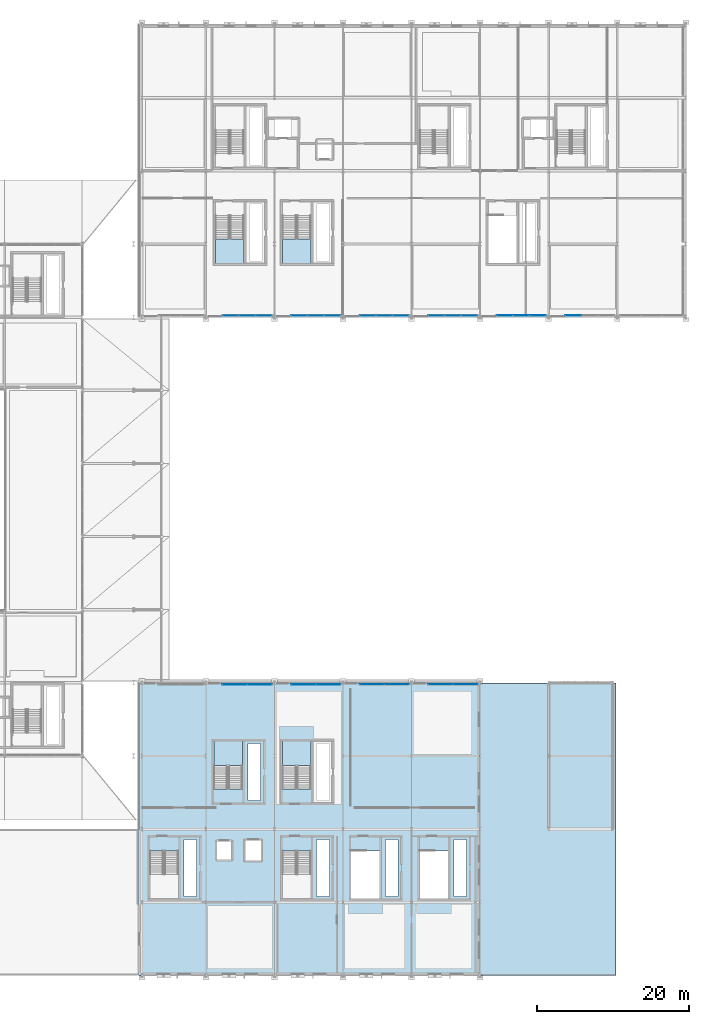
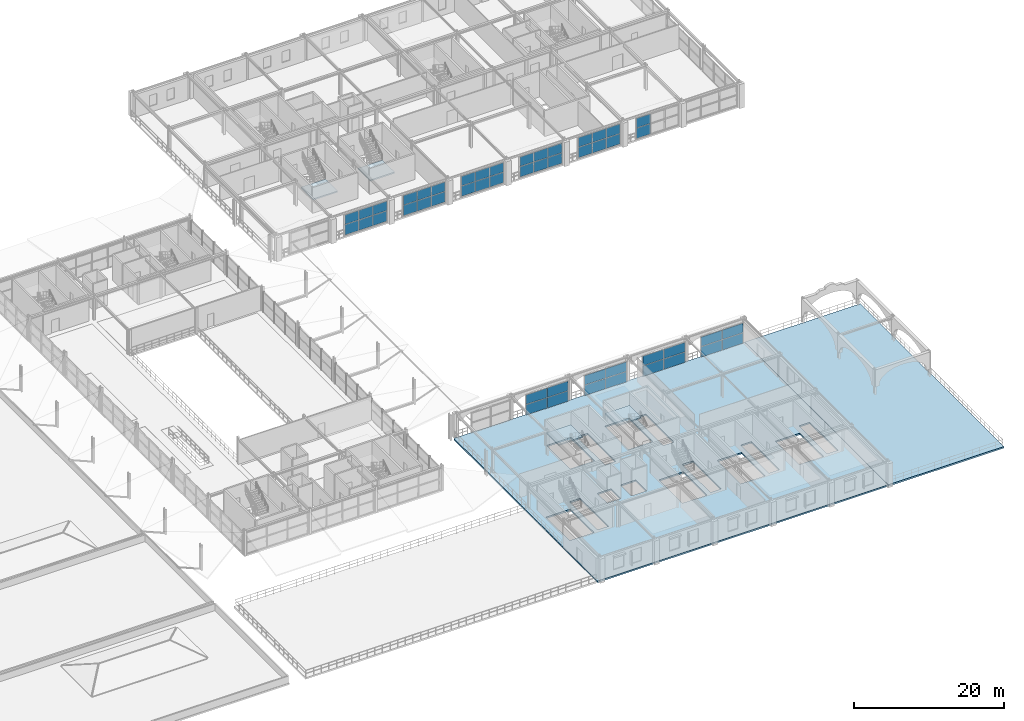
# One storey, part 38 of 81: 48 plates, 6 slabs, 14 elements without a shape of their own.
"""IFC4 building model written with IfcOpenShell, lengths in metres."""

from ifc_helpers import new_model, si_unit, direction, frame, origin, origin_2d, place, context, subcontext, project, spatial, polyline, rectangle, outline, extrude, material, layer, layer_set, type_object, element, aggregate, save


model = new_model("IFC4")

# Units and contexts
model_context = context("Model", 3, precision=1e-05, world=origin(), true_north=direction((0.0, 1.0)))
body_context = subcontext(model_context, "Body", "Model", "MODEL_VIEW")
ifc_project = project(units=[si_unit("LENGTHUNIT", "METRE"), si_unit("AREAUNIT", "SQUARE_METRE"), si_unit("VOLUMEUNIT", "CUBIC_METRE"), si_unit("PLANEANGLEUNIT", "RADIAN"), si_unit("MASSUNIT", "GRAM", prefix="KILO")], contexts=[model_context])

# Site, building, storey
site_placement = place(None, origin())
site = spatial("IfcSite", under=ifc_project, at=site_placement, CompositionType="ELEMENT")
building_placement = place(site_placement, origin())
building = spatial("IfcBuilding", under=site, at=building_placement, Name="Myrtia Square Station", CompositionType="ELEMENT")
storey_placement = place(building_placement, frame((0.0, 0.0, 10.800048828125)))
storey = spatial("IfcBuildingStorey", under=building, at=storey_placement, Name="L02", CompositionType="ELEMENT", Elevation=10.800048828125)

# Curtain wall, plates
ifc_material_1 = material(Name="Dark bronze anodised aluminium", Category="aluminium")
ifc_layer_1 = layer(ifc_material_1, 0.159912109375, Name="Dark bronze anodised aluminium")
ifc_layer_set_1 = layer_set([ifc_layer_1], Name="Dark bronze anodised aluminium")
curtain_wall_type_1 = type_object("IfcCurtainWallType", Name="CW-TYPE-28-660x340", PredefinedType="USERDEFINED", material=ifc_layer_set_1)
curtain_wall_1_placement = place(storey_placement, origin())
curtain_wall_1 = element("IfcCurtainWall", 1, at=curtain_wall_1_placement, inside=storey, type_object=curtain_wall_type_1, Name="Concourse curtain wall CW-L02-100", ObjectType="CONCOURSE CURTAIN WALL", PredefinedType="USERDEFINED")
ifc_material_2 = material(Name="Tinted low-E solar control glass", Category="glass")
ifc_layer_2 = layer(ifc_material_2, 0.02392578125, Name="Tinted low-E solar control glass")
ifc_layer_set_2 = layer_set([ifc_layer_2], Name="Tinted low-E solar control glass")
plate_type_1 = type_object("IfcPlateType", Name="CWP-GLZ-24", PredefinedType="CURTAIN_PANEL", material=ifc_layer_set_2)
plate_1_placement = place(storey_placement, frame((147.7900390625, 38.199951171875, 0.06005859375), z_axis=(0.0, 0.0, 1.0), x_axis=(1.0, 0.0, 0.0)))
plate_1 = element("IfcPlate", 2, at=plate_1_placement, type_object=plate_type_1, Name="CW-100 panel 1.1", PredefinedType="CURTAIN_PANEL", context=body_context, shape_type="SweptSolid", body=[
    extrude(rectangle(XDim=3.2099609375, YDim=0.02392578125, at=origin_2d()), origin(), (0.0, 0.0, 1.0), 1.677978515625),
])
plate_2_placement = place(storey_placement, frame((147.7900390625, 38.199951171875, 1.7978515625), z_axis=(0.0, 0.0, 1.0), x_axis=(1.0, 0.0, 0.0)))
plate_2 = element("IfcPlate", 3, at=plate_2_placement, type_object=plate_type_1, Name="CW-100 panel 1.2", PredefinedType="CURTAIN_PANEL", context=body_context, shape_type="SweptSolid", body=[
    extrude(rectangle(XDim=3.2099609375, YDim=0.02392578125, at=origin_2d()), origin(), (0.0, 0.0, 1.0), 1.5419921875),
])
plate_3_placement = place(storey_placement, frame((151.06005859375, 38.199951171875, 0.06005859375), z_axis=(0.0, 0.0, 1.0), x_axis=(1.0, 0.0, 0.0)))
plate_3 = element("IfcPlate", 4, at=plate_3_placement, type_object=plate_type_1, Name="CW-100 panel 2.1", PredefinedType="CURTAIN_PANEL", context=body_context, shape_type="SweptSolid", body=[
    extrude(rectangle(XDim=3.2099609375, YDim=0.02392578125, at=origin_2d()), origin(), (0.0, 0.0, 1.0), 1.677978515625),
])
plate_4_placement = place(storey_placement, frame((151.06005859375, 38.199951171875, 1.7978515625), z_axis=(0.0, 0.0, 1.0), x_axis=(1.0, 0.0, 0.0)))
plate_4 = element("IfcPlate", 5, at=plate_4_placement, type_object=plate_type_1, Name="CW-100 panel 2.2", PredefinedType="CURTAIN_PANEL", context=body_context, shape_type="SweptSolid", body=[
    extrude(rectangle(XDim=3.2099609375, YDim=0.02392578125, at=origin_2d()), origin(), (0.0, 0.0, 1.0), 1.5419921875),
])
aggregate(curtain_wall_1, [plate_1, plate_2, plate_3, plate_4])

ifc_layer_3 = layer(ifc_material_1, 0.159912109375, Name="Dark bronze anodised aluminium")
ifc_layer_set_3 = layer_set([ifc_layer_3], Name="Dark bronze anodised aluminium")
curtain_wall_type_2 = type_object("IfcCurtainWallType", Name="CW-TYPE-40-658x340", PredefinedType="USERDEFINED", material=ifc_layer_set_3)
curtain_wall_2_placement = place(storey_placement, origin())
curtain_wall_2 = element("IfcCurtainWall", 6, at=curtain_wall_2_placement, inside=storey, type_object=curtain_wall_type_2, Name="Concourse curtain wall CW-L02-119", ObjectType="CONCOURSE CURTAIN WALL", PredefinedType="USERDEFINED")
plate_5_placement = place(storey_placement, frame((129.237060546875, 86.60009765625, 0.06494140625), z_axis=(0.0, 0.0, 1.0), x_axis=(1.0, 0.0, 0.0)))
plate_5 = element("IfcPlate", 7, at=plate_5_placement, type_object=plate_type_1, Name="CW-119 panel 1.1", PredefinedType="CURTAIN_PANEL", context=body_context, shape_type="SweptSolid", body=[
    extrude(rectangle(XDim=2.09423828125, YDim=0.02392578125, at=origin_2d()), origin(), (0.0, 0.0, 1.0), 1.67041015625),
])
plate_6_placement = place(storey_placement, frame((129.237060546875, 86.60009765625, 1.80029296875), z_axis=(0.0, 0.0, 1.0), x_axis=(1.0, 0.0, 0.0)))
plate_6 = element("IfcPlate", 8, at=plate_6_placement, type_object=plate_type_1, Name="CW-119 panel 1.2", PredefinedType="CURTAIN_PANEL", context=body_context, shape_type="SweptSolid", body=[
    extrude(rectangle(XDim=2.09423828125, YDim=0.02392578125, at=origin_2d()), origin(), (0.0, 0.0, 1.0), 1.534423828125),
])
plate_7_placement = place(storey_placement, frame((131.41259765625, 86.60009765625, 0.06494140625), z_axis=(0.0, 0.0, 1.0), x_axis=(1.0, 0.0, 0.0)))
plate_7 = element("IfcPlate", 9, at=plate_7_placement, type_object=plate_type_1, Name="CW-119 panel 2.1", PredefinedType="CURTAIN_PANEL", context=body_context, shape_type="SweptSolid", body=[
    extrude(rectangle(XDim=2.126708984375, YDim=0.02392578125, at=origin_2d()), origin(), (0.0, 0.0, 1.0), 1.67041015625),
])
plate_8_placement = place(storey_placement, frame((131.41259765625, 86.60009765625, 1.80029296875), z_axis=(0.0, 0.0, 1.0), x_axis=(1.0, 0.0, 0.0)))
plate_8 = element("IfcPlate", 10, at=plate_8_placement, type_object=plate_type_1, Name="CW-119 panel 2.2", PredefinedType="CURTAIN_PANEL", context=body_context, shape_type="SweptSolid", body=[
    extrude(rectangle(XDim=2.126708984375, YDim=0.02392578125, at=origin_2d()), origin(), (0.0, 0.0, 1.0), 1.534423828125),
])
plate_9_placement = place(storey_placement, frame((133.587890625, 86.60009765625, 0.06494140625), z_axis=(0.0, 0.0, 1.0), x_axis=(1.0, 0.0, 0.0)))
plate_9 = element("IfcPlate", 11, at=plate_9_placement, type_object=plate_type_1, Name="CW-119 panel 3.1", PredefinedType="CURTAIN_PANEL", context=body_context, shape_type="SweptSolid", body=[
    extrude(rectangle(XDim=2.09423828125, YDim=0.02392578125, at=origin_2d()), origin(), (0.0, 0.0, 1.0), 1.67041015625),
])
plate_10_placement = place(storey_placement, frame((133.587890625, 86.60009765625, 1.80029296875), z_axis=(0.0, 0.0, 1.0), x_axis=(1.0, 0.0, 0.0)))
plate_10 = element("IfcPlate", 12, at=plate_10_placement, type_object=plate_type_1, Name="CW-119 panel 3.2", PredefinedType="CURTAIN_PANEL", context=body_context, shape_type="SweptSolid", body=[
    extrude(rectangle(XDim=2.09423828125, YDim=0.02392578125, at=origin_2d()), origin(), (0.0, 0.0, 1.0), 1.534423828125),
])
aggregate(curtain_wall_2, [plate_5, plate_6, plate_7, plate_8, plate_9, plate_10])

curtain_wall_3_placement = place(storey_placement, origin())
curtain_wall_3 = element("IfcCurtainWall", 13, at=curtain_wall_3_placement, inside=storey, type_object=curtain_wall_type_1, Name="Concourse curtain wall CW-L02-101", ObjectType="CONCOURSE CURTAIN WALL", PredefinedType="USERDEFINED")
ifc_layer_4 = layer(ifc_material_2, 0.028076171875, Name="Tinted low-E solar control glass")
ifc_layer_set_4 = layer_set([ifc_layer_4], Name="Tinted low-E solar control glass")
plate_type_2 = type_object("IfcPlateType", Name="CWP-GLZ-28", PredefinedType="CURTAIN_PANEL", material=ifc_layer_set_4)
plate_11_placement = place(storey_placement, frame((156.7900390625, 38.199951171875, 0.06005859375), z_axis=(0.0, 0.0, 1.0), x_axis=(1.0, 0.0, 0.0)))
plate_11 = element("IfcPlate", 14, at=plate_11_placement, type_object=plate_type_2, Name="CW-101 panel 1.1", PredefinedType="CURTAIN_PANEL", context=body_context, shape_type="SweptSolid", body=[
    extrude(rectangle(XDim=3.2099609375, YDim=0.028076171875, at=origin_2d()), origin(), (0.0, 0.0, 1.0), 1.677978515625),
])
plate_12_placement = place(storey_placement, frame((156.7900390625, 38.199951171875, 1.7978515625), z_axis=(0.0, 0.0, 1.0), x_axis=(1.0, 0.0, 0.0)))
plate_12 = element("IfcPlate", 15, at=plate_12_placement, type_object=plate_type_2, Name="CW-101 panel 1.2", PredefinedType="CURTAIN_PANEL", context=body_context, shape_type="SweptSolid", body=[
    extrude(rectangle(XDim=3.2099609375, YDim=0.028076171875, at=origin_2d()), origin(), (0.0, 0.0, 1.0), 1.5419921875),
])
plate_13_placement = place(storey_placement, frame((160.06005859375, 38.199951171875, 0.06005859375), z_axis=(0.0, 0.0, 1.0), x_axis=(1.0, 0.0, 0.0)))
plate_13 = element("IfcPlate", 16, at=plate_13_placement, type_object=plate_type_2, Name="CW-101 panel 2.1", PredefinedType="CURTAIN_PANEL", context=body_context, shape_type="SweptSolid", body=[
    extrude(rectangle(XDim=3.2099609375, YDim=0.028076171875, at=origin_2d()), origin(), (0.0, 0.0, 1.0), 1.677978515625),
])
plate_14_placement = place(storey_placement, frame((160.06005859375, 38.199951171875, 1.7978515625), z_axis=(0.0, 0.0, 1.0), x_axis=(1.0, 0.0, 0.0)))
plate_14 = element("IfcPlate", 17, at=plate_14_placement, type_object=plate_type_2, Name="CW-101 panel 2.2", PredefinedType="CURTAIN_PANEL", context=body_context, shape_type="SweptSolid", body=[
    extrude(rectangle(XDim=3.2099609375, YDim=0.028076171875, at=origin_2d()), origin(), (0.0, 0.0, 1.0), 1.5419921875),
])
aggregate(curtain_wall_3, [plate_11, plate_12, plate_13, plate_14])

curtain_wall_4_placement = place(storey_placement, origin())
curtain_wall_4 = element("IfcCurtainWall", 18, at=curtain_wall_4_placement, inside=storey, type_object=curtain_wall_type_2, Name="Concourse curtain wall CW-L02-124", ObjectType="CONCOURSE CURTAIN WALL", PredefinedType="USERDEFINED")
plate_15_placement = place(storey_placement, frame((138.237060546875, 86.60009765625, 0.06494140625), z_axis=(0.0, 0.0, 1.0), x_axis=(1.0, 0.0, 0.0)))
plate_15 = element("IfcPlate", 19, at=plate_15_placement, type_object=plate_type_2, Name="CW-124 panel 1.1", PredefinedType="CURTAIN_PANEL", context=body_context, shape_type="SweptSolid", body=[
    extrude(rectangle(XDim=2.09423828125, YDim=0.028076171875, at=origin_2d()), origin(), (0.0, 0.0, 1.0), 1.67041015625),
])
plate_16_placement = place(storey_placement, frame((138.237060546875, 86.60009765625, 1.80029296875), z_axis=(0.0, 0.0, 1.0), x_axis=(1.0, 0.0, 0.0)))
plate_16 = element("IfcPlate", 20, at=plate_16_placement, type_object=plate_type_2, Name="CW-124 panel 1.2", PredefinedType="CURTAIN_PANEL", context=body_context, shape_type="SweptSolid", body=[
    extrude(rectangle(XDim=2.09423828125, YDim=0.028076171875, at=origin_2d()), origin(), (0.0, 0.0, 1.0), 1.534423828125),
])
plate_17_placement = place(storey_placement, frame((140.41259765625, 86.60009765625, 0.06494140625), z_axis=(0.0, 0.0, 1.0), x_axis=(1.0, 0.0, 0.0)))
plate_17 = element("IfcPlate", 21, at=plate_17_placement, type_object=plate_type_2, Name="CW-124 panel 2.1", PredefinedType="CURTAIN_PANEL", context=body_context, shape_type="SweptSolid", body=[
    extrude(rectangle(XDim=2.126708984375, YDim=0.028076171875, at=origin_2d()), origin(), (0.0, 0.0, 1.0), 1.67041015625),
])
plate_18_placement = place(storey_placement, frame((140.41259765625, 86.60009765625, 1.80029296875), z_axis=(0.0, 0.0, 1.0), x_axis=(1.0, 0.0, 0.0)))
plate_18 = element("IfcPlate", 22, at=plate_18_placement, type_object=plate_type_2, Name="CW-124 panel 2.2", PredefinedType="CURTAIN_PANEL", context=body_context, shape_type="SweptSolid", body=[
    extrude(rectangle(XDim=2.126708984375, YDim=0.028076171875, at=origin_2d()), origin(), (0.0, 0.0, 1.0), 1.534423828125),
])
plate_19_placement = place(storey_placement, frame((142.587890625, 86.60009765625, 0.06494140625), z_axis=(0.0, 0.0, 1.0), x_axis=(1.0, 0.0, 0.0)))
plate_19 = element("IfcPlate", 23, at=plate_19_placement, type_object=plate_type_2, Name="CW-124 panel 3.1", PredefinedType="CURTAIN_PANEL", context=body_context, shape_type="SweptSolid", body=[
    extrude(rectangle(XDim=2.09423828125, YDim=0.028076171875, at=origin_2d()), origin(), (0.0, 0.0, 1.0), 1.67041015625),
])
plate_20_placement = place(storey_placement, frame((142.587890625, 86.60009765625, 1.80029296875), z_axis=(0.0, 0.0, 1.0), x_axis=(1.0, 0.0, 0.0)))
plate_20 = element("IfcPlate", 24, at=plate_20_placement, type_object=plate_type_2, Name="CW-124 panel 3.2", PredefinedType="CURTAIN_PANEL", context=body_context, shape_type="SweptSolid", body=[
    extrude(rectangle(XDim=2.09423828125, YDim=0.028076171875, at=origin_2d()), origin(), (0.0, 0.0, 1.0), 1.534423828125),
])
aggregate(curtain_wall_4, [plate_15, plate_16, plate_17, plate_18, plate_19, plate_20])

curtain_wall_5_placement = place(storey_placement, origin())
curtain_wall_5 = element("IfcCurtainWall", 25, at=curtain_wall_5_placement, inside=storey, type_object=curtain_wall_type_2, Name="Concourse curtain wall CW-L02-128", ObjectType="CONCOURSE CURTAIN WALL", PredefinedType="USERDEFINED")
plate_21_placement = place(storey_placement, frame((147.237060546875, 86.60009765625, 0.06494140625), z_axis=(0.0, 0.0, 1.0), x_axis=(1.0, 0.0, 0.0)))
plate_21 = element("IfcPlate", 26, at=plate_21_placement, type_object=plate_type_2, Name="CW-128 panel 1.1", PredefinedType="CURTAIN_PANEL", context=body_context, shape_type="SweptSolid", body=[
    extrude(rectangle(XDim=2.09423828125, YDim=0.028076171875, at=origin_2d()), origin(), (0.0, 0.0, 1.0), 1.67041015625),
])
plate_22_placement = place(storey_placement, frame((147.237060546875, 86.60009765625, 1.80029296875), z_axis=(0.0, 0.0, 1.0), x_axis=(1.0, 0.0, 0.0)))
plate_22 = element("IfcPlate", 27, at=plate_22_placement, type_object=plate_type_2, Name="CW-128 panel 1.2", PredefinedType="CURTAIN_PANEL", context=body_context, shape_type="SweptSolid", body=[
    extrude(rectangle(XDim=2.09423828125, YDim=0.028076171875, at=origin_2d()), origin(), (0.0, 0.0, 1.0), 1.534423828125),
])
plate_23_placement = place(storey_placement, frame((149.41259765625, 86.60009765625, 0.06494140625), z_axis=(0.0, 0.0, 1.0), x_axis=(1.0, 0.0, 0.0)))
plate_23 = element("IfcPlate", 28, at=plate_23_placement, type_object=plate_type_2, Name="CW-128 panel 2.1", PredefinedType="CURTAIN_PANEL", context=body_context, shape_type="SweptSolid", body=[
    extrude(rectangle(XDim=2.126708984375, YDim=0.028076171875, at=origin_2d()), origin(), (0.0, 0.0, 1.0), 1.67041015625),
])
plate_24_placement = place(storey_placement, frame((149.41259765625, 86.60009765625, 1.80029296875), z_axis=(0.0, 0.0, 1.0), x_axis=(1.0, 0.0, 0.0)))
plate_24 = element("IfcPlate", 29, at=plate_24_placement, type_object=plate_type_2, Name="CW-128 panel 2.2", PredefinedType="CURTAIN_PANEL", context=body_context, shape_type="SweptSolid", body=[
    extrude(rectangle(XDim=2.126708984375, YDim=0.028076171875, at=origin_2d()), origin(), (0.0, 0.0, 1.0), 1.534423828125),
])
plate_25_placement = place(storey_placement, frame((151.587890625, 86.60009765625, 0.06494140625), z_axis=(0.0, 0.0, 1.0), x_axis=(1.0, 0.0, 0.0)))
plate_25 = element("IfcPlate", 30, at=plate_25_placement, type_object=plate_type_2, Name="CW-128 panel 3.1", PredefinedType="CURTAIN_PANEL", context=body_context, shape_type="SweptSolid", body=[
    extrude(rectangle(XDim=2.09423828125, YDim=0.028076171875, at=origin_2d()), origin(), (0.0, 0.0, 1.0), 1.67041015625),
])
plate_26_placement = place(storey_placement, frame((151.587890625, 86.60009765625, 1.80029296875), z_axis=(0.0, 0.0, 1.0), x_axis=(1.0, 0.0, 0.0)))
plate_26 = element("IfcPlate", 31, at=plate_26_placement, type_object=plate_type_2, Name="CW-128 panel 3.2", PredefinedType="CURTAIN_PANEL", context=body_context, shape_type="SweptSolid", body=[
    extrude(rectangle(XDim=2.09423828125, YDim=0.028076171875, at=origin_2d()), origin(), (0.0, 0.0, 1.0), 1.534423828125),
])
aggregate(curtain_wall_5, [plate_21, plate_22, plate_23, plate_24, plate_25, plate_26])

curtain_wall_6_placement = place(storey_placement, origin())
curtain_wall_6 = element("IfcCurtainWall", 32, at=curtain_wall_6_placement, inside=storey, type_object=curtain_wall_type_2, Name="Concourse curtain wall CW-L02-132", ObjectType="CONCOURSE CURTAIN WALL", PredefinedType="USERDEFINED")
plate_27_placement = place(storey_placement, frame((156.237060546875, 86.60009765625, 0.06494140625), z_axis=(0.0, 0.0, 1.0), x_axis=(1.0, 0.0, 0.0)))
plate_27 = element("IfcPlate", 33, at=plate_27_placement, type_object=plate_type_2, Name="CW-132 panel 1.1", PredefinedType="CURTAIN_PANEL", context=body_context, shape_type="SweptSolid", body=[
    extrude(rectangle(XDim=2.09423828125, YDim=0.028076171875, at=origin_2d()), origin(), (0.0, 0.0, 1.0), 1.67041015625),
])
plate_28_placement = place(storey_placement, frame((156.237060546875, 86.60009765625, 1.80029296875), z_axis=(0.0, 0.0, 1.0), x_axis=(1.0, 0.0, 0.0)))
plate_28 = element("IfcPlate", 34, at=plate_28_placement, type_object=plate_type_2, Name="CW-132 panel 1.2", PredefinedType="CURTAIN_PANEL", context=body_context, shape_type="SweptSolid", body=[
    extrude(rectangle(XDim=2.09423828125, YDim=0.028076171875, at=origin_2d()), origin(), (0.0, 0.0, 1.0), 1.534423828125),
])
plate_29_placement = place(storey_placement, frame((158.41259765625, 86.60009765625, 0.06494140625), z_axis=(0.0, 0.0, 1.0), x_axis=(1.0, 0.0, 0.0)))
plate_29 = element("IfcPlate", 35, at=plate_29_placement, type_object=plate_type_2, Name="CW-132 panel 2.1", PredefinedType="CURTAIN_PANEL", context=body_context, shape_type="SweptSolid", body=[
    extrude(rectangle(XDim=2.126708984375, YDim=0.028076171875, at=origin_2d()), origin(), (0.0, 0.0, 1.0), 1.67041015625),
])
plate_30_placement = place(storey_placement, frame((158.41259765625, 86.60009765625, 1.80029296875), z_axis=(0.0, 0.0, 1.0), x_axis=(1.0, 0.0, 0.0)))
plate_30 = element("IfcPlate", 36, at=plate_30_placement, type_object=plate_type_2, Name="CW-132 panel 2.2", PredefinedType="CURTAIN_PANEL", context=body_context, shape_type="SweptSolid", body=[
    extrude(rectangle(XDim=2.126708984375, YDim=0.028076171875, at=origin_2d()), origin(), (0.0, 0.0, 1.0), 1.534423828125),
])
plate_31_placement = place(storey_placement, frame((160.587890625, 86.60009765625, 0.06494140625), z_axis=(0.0, 0.0, 1.0), x_axis=(1.0, 0.0, 0.0)))
plate_31 = element("IfcPlate", 37, at=plate_31_placement, type_object=plate_type_2, Name="CW-132 panel 3.1", PredefinedType="CURTAIN_PANEL", context=body_context, shape_type="SweptSolid", body=[
    extrude(rectangle(XDim=2.09423828125, YDim=0.028076171875, at=origin_2d()), origin(), (0.0, 0.0, 1.0), 1.67041015625),
])
plate_32_placement = place(storey_placement, frame((160.587890625, 86.60009765625, 1.80029296875), z_axis=(0.0, 0.0, 1.0), x_axis=(1.0, 0.0, 0.0)))
plate_32 = element("IfcPlate", 38, at=plate_32_placement, type_object=plate_type_2, Name="CW-132 panel 3.2", PredefinedType="CURTAIN_PANEL", context=body_context, shape_type="SweptSolid", body=[
    extrude(rectangle(XDim=2.09423828125, YDim=0.028076171875, at=origin_2d()), origin(), (0.0, 0.0, 1.0), 1.534423828125),
])
aggregate(curtain_wall_6, [plate_27, plate_28, plate_29, plate_30, plate_31, plate_32])

curtain_wall_7_placement = place(storey_placement, origin())
curtain_wall_7 = element("IfcCurtainWall", 39, at=curtain_wall_7_placement, inside=storey, type_object=curtain_wall_type_1, Name="Concourse curtain wall CW-L02-098", ObjectType="CONCOURSE CURTAIN WALL", PredefinedType="USERDEFINED")
ifc_layer_5 = layer(ifc_material_2, 0.031982421875, Name="Tinted low-E solar control glass")
ifc_layer_set_5 = layer_set([ifc_layer_5], Name="Tinted low-E solar control glass")
plate_type_3 = type_object("IfcPlateType", Name="CWP-GLZ-32", PredefinedType="CURTAIN_PANEL", material=ifc_layer_set_5)
plate_33_placement = place(storey_placement, frame((129.7900390625, 38.199951171875, 0.06005859375), z_axis=(0.0, 0.0, 1.0), x_axis=(1.0, 0.0, 0.0)))
plate_33 = element("IfcPlate", 40, at=plate_33_placement, type_object=plate_type_3, Name="CW-098 panel 1.1", PredefinedType="CURTAIN_PANEL", context=body_context, shape_type="SweptSolid", body=[
    extrude(rectangle(XDim=3.2099609375, YDim=0.031982421875, at=origin_2d()), origin(), (0.0, 0.0, 1.0), 1.677978515625),
])
plate_34_placement = place(storey_placement, frame((129.7900390625, 38.199951171875, 1.7978515625), z_axis=(0.0, 0.0, 1.0), x_axis=(1.0, 0.0, 0.0)))
plate_34 = element("IfcPlate", 41, at=plate_34_placement, type_object=plate_type_3, Name="CW-098 panel 1.2", PredefinedType="CURTAIN_PANEL", context=body_context, shape_type="SweptSolid", body=[
    extrude(rectangle(XDim=3.2099609375, YDim=0.031982421875, at=origin_2d()), origin(), (0.0, 0.0, 1.0), 1.5419921875),
])
plate_35_placement = place(storey_placement, frame((133.06005859375, 38.199951171875, 0.06005859375), z_axis=(0.0, 0.0, 1.0), x_axis=(1.0, 0.0, 0.0)))
plate_35 = element("IfcPlate", 42, at=plate_35_placement, type_object=plate_type_3, Name="CW-098 panel 2.1", PredefinedType="CURTAIN_PANEL", context=body_context, shape_type="SweptSolid", body=[
    extrude(rectangle(XDim=3.2099609375, YDim=0.031982421875, at=origin_2d()), origin(), (0.0, 0.0, 1.0), 1.677978515625),
])
plate_36_placement = place(storey_placement, frame((133.06005859375, 38.199951171875, 1.7978515625), z_axis=(0.0, 0.0, 1.0), x_axis=(1.0, 0.0, 0.0)))
plate_36 = element("IfcPlate", 43, at=plate_36_placement, type_object=plate_type_3, Name="CW-098 panel 2.2", PredefinedType="CURTAIN_PANEL", context=body_context, shape_type="SweptSolid", body=[
    extrude(rectangle(XDim=3.2099609375, YDim=0.031982421875, at=origin_2d()), origin(), (0.0, 0.0, 1.0), 1.5419921875),
])
aggregate(curtain_wall_7, [plate_33, plate_34, plate_35, plate_36])

curtain_wall_8_placement = place(storey_placement, origin())
curtain_wall_8 = element("IfcCurtainWall", 44, at=curtain_wall_8_placement, inside=storey, type_object=curtain_wall_type_2, Name="Concourse curtain wall CW-L02-137", ObjectType="CONCOURSE CURTAIN WALL", PredefinedType="USERDEFINED")
plate_37_placement = place(storey_placement, frame((165.237060546875, 86.60009765625, 0.06494140625), z_axis=(0.0, 0.0, 1.0), x_axis=(1.0, 0.0, 0.0)))
plate_37 = element("IfcPlate", 45, at=plate_37_placement, type_object=plate_type_3, Name="CW-137 panel 1.1", PredefinedType="CURTAIN_PANEL", context=body_context, shape_type="SweptSolid", body=[
    extrude(rectangle(XDim=2.09423828125, YDim=0.031982421875, at=origin_2d()), origin(), (0.0, 0.0, 1.0), 1.67041015625),
])
plate_38_placement = place(storey_placement, frame((165.237060546875, 86.60009765625, 1.80029296875), z_axis=(0.0, 0.0, 1.0), x_axis=(1.0, 0.0, 0.0)))
plate_38 = element("IfcPlate", 46, at=plate_38_placement, type_object=plate_type_3, Name="CW-137 panel 1.2", PredefinedType="CURTAIN_PANEL", context=body_context, shape_type="SweptSolid", body=[
    extrude(rectangle(XDim=2.09423828125, YDim=0.031982421875, at=origin_2d()), origin(), (0.0, 0.0, 1.0), 1.534423828125),
])
plate_39_placement = place(storey_placement, frame((167.41259765625, 86.60009765625, 0.06494140625), z_axis=(0.0, 0.0, 1.0), x_axis=(1.0, 0.0, 0.0)))
plate_39 = element("IfcPlate", 47, at=plate_39_placement, type_object=plate_type_3, Name="CW-137 panel 2.1", PredefinedType="CURTAIN_PANEL", context=body_context, shape_type="SweptSolid", body=[
    extrude(rectangle(XDim=2.126708984375, YDim=0.031982421875, at=origin_2d()), origin(), (0.0, 0.0, 1.0), 1.67041015625),
])
plate_40_placement = place(storey_placement, frame((167.41259765625, 86.60009765625, 1.80029296875), z_axis=(0.0, 0.0, 1.0), x_axis=(1.0, 0.0, 0.0)))
plate_40 = element("IfcPlate", 48, at=plate_40_placement, type_object=plate_type_3, Name="CW-137 panel 2.2", PredefinedType="CURTAIN_PANEL", context=body_context, shape_type="SweptSolid", body=[
    extrude(rectangle(XDim=2.126708984375, YDim=0.031982421875, at=origin_2d()), origin(), (0.0, 0.0, 1.0), 1.534423828125),
])
plate_41_placement = place(storey_placement, frame((169.587890625, 86.60009765625, 0.06494140625), z_axis=(0.0, 0.0, 1.0), x_axis=(1.0, 0.0, 0.0)))
plate_41 = element("IfcPlate", 49, at=plate_41_placement, type_object=plate_type_3, Name="CW-137 panel 3.1", PredefinedType="CURTAIN_PANEL", context=body_context, shape_type="SweptSolid", body=[
    extrude(rectangle(XDim=2.09423828125, YDim=0.031982421875, at=origin_2d()), origin(), (0.0, 0.0, 1.0), 1.67041015625),
])
plate_42_placement = place(storey_placement, frame((169.587890625, 86.60009765625, 1.80029296875), z_axis=(0.0, 0.0, 1.0), x_axis=(1.0, 0.0, 0.0)))
plate_42 = element("IfcPlate", 50, at=plate_42_placement, type_object=plate_type_3, Name="CW-137 panel 3.2", PredefinedType="CURTAIN_PANEL", context=body_context, shape_type="SweptSolid", body=[
    extrude(rectangle(XDim=2.09423828125, YDim=0.031982421875, at=origin_2d()), origin(), (0.0, 0.0, 1.0), 1.534423828125),
])
aggregate(curtain_wall_8, [plate_37, plate_38, plate_39, plate_40, plate_41, plate_42])

curtain_wall_9_placement = place(storey_placement, origin())
curtain_wall_9 = element("IfcCurtainWall", 51, at=curtain_wall_9_placement, inside=storey, type_object=curtain_wall_type_1, Name="Concourse curtain wall CW-L02-099", ObjectType="CONCOURSE CURTAIN WALL", PredefinedType="USERDEFINED")
ifc_layer_6 = layer(ifc_material_2, 0.035888671875, Name="Tinted low-E solar control glass")
ifc_layer_set_6 = layer_set([ifc_layer_6], Name="Tinted low-E solar control glass")
plate_type_4 = type_object("IfcPlateType", Name="CWP-GLZ-36", PredefinedType="CURTAIN_PANEL", material=ifc_layer_set_6)
plate_43_placement = place(storey_placement, frame((138.7900390625, 38.199951171875, 0.06005859375), z_axis=(0.0, 0.0, 1.0), x_axis=(1.0, 0.0, 0.0)))
plate_43 = element("IfcPlate", 52, at=plate_43_placement, type_object=plate_type_4, Name="CW-099 panel 1.1", PredefinedType="CURTAIN_PANEL", context=body_context, shape_type="SweptSolid", body=[
    extrude(rectangle(XDim=3.2099609375, YDim=0.035888671875, at=origin_2d()), origin(), (0.0, 0.0, 1.0), 1.677978515625),
])
plate_44_placement = place(storey_placement, frame((138.7900390625, 38.199951171875, 1.7978515625), z_axis=(0.0, 0.0, 1.0), x_axis=(1.0, 0.0, 0.0)))
plate_44 = element("IfcPlate", 53, at=plate_44_placement, type_object=plate_type_4, Name="CW-099 panel 1.2", PredefinedType="CURTAIN_PANEL", context=body_context, shape_type="SweptSolid", body=[
    extrude(rectangle(XDim=3.2099609375, YDim=0.035888671875, at=origin_2d()), origin(), (0.0, 0.0, 1.0), 1.5419921875),
])
plate_45_placement = place(storey_placement, frame((142.06005859375, 38.199951171875, 0.06005859375), z_axis=(0.0, 0.0, 1.0), x_axis=(1.0, 0.0, 0.0)))
plate_45 = element("IfcPlate", 54, at=plate_45_placement, type_object=plate_type_4, Name="CW-099 panel 2.1", PredefinedType="CURTAIN_PANEL", context=body_context, shape_type="SweptSolid", body=[
    extrude(rectangle(XDim=3.2099609375, YDim=0.035888671875, at=origin_2d()), origin(), (0.0, 0.0, 1.0), 1.677978515625),
])
plate_46_placement = place(storey_placement, frame((142.06005859375, 38.199951171875, 1.7978515625), z_axis=(0.0, 0.0, 1.0), x_axis=(1.0, 0.0, 0.0)))
plate_46 = element("IfcPlate", 55, at=plate_46_placement, type_object=plate_type_4, Name="CW-099 panel 2.2", PredefinedType="CURTAIN_PANEL", context=body_context, shape_type="SweptSolid", body=[
    extrude(rectangle(XDim=3.2099609375, YDim=0.035888671875, at=origin_2d()), origin(), (0.0, 0.0, 1.0), 1.5419921875),
])
aggregate(curtain_wall_9, [plate_43, plate_44, plate_45, plate_46])

curtain_wall_10_placement = place(storey_placement, origin())
curtain_wall_10 = element("IfcCurtainWall", 56, at=curtain_wall_10_placement, inside=storey, type_object=curtain_wall_type_2, Name="Concourse curtain wall CW-L02-142", ObjectType="CONCOURSE CURTAIN WALL", PredefinedType="USERDEFINED")
plate_47_placement = place(storey_placement, frame((174.237060546875, 86.60009765625, 0.06494140625), z_axis=(0.0, 0.0, 1.0), x_axis=(1.0, 0.0, 0.0)))
plate_47 = element("IfcPlate", 57, at=plate_47_placement, type_object=plate_type_4, Name="CW-142 panel 1.1", PredefinedType="CURTAIN_PANEL", context=body_context, shape_type="SweptSolid", body=[
    extrude(rectangle(XDim=2.09423828125, YDim=0.035888671875, at=origin_2d()), origin(), (0.0, 0.0, 1.0), 1.67041015625),
])
plate_48_placement = place(storey_placement, frame((174.237060546875, 86.60009765625, 1.80029296875), z_axis=(0.0, 0.0, 1.0), x_axis=(1.0, 0.0, 0.0)))
plate_48 = element("IfcPlate", 58, at=plate_48_placement, type_object=plate_type_4, Name="CW-142 panel 1.2", PredefinedType="CURTAIN_PANEL", context=body_context, shape_type="SweptSolid", body=[
    extrude(rectangle(XDim=2.09423828125, YDim=0.035888671875, at=origin_2d()), origin(), (0.0, 0.0, 1.0), 1.534423828125),
])
aggregate(curtain_wall_10, [plate_47, plate_48])

# Slab
ifc_material_3 = material(Name="Concrete C35/45", Category="concrete")
ifc_layer_7 = layer(ifc_material_3, 0.25, Name="Concrete C35/45")
ifc_layer_set_7 = layer_set([ifc_layer_7], Name="Concrete C35/45")
slab_type_1 = type_object("IfcSlabType", Name="SLB-FLR-250", PredefinedType="FLOOR", material=ifc_layer_set_7)
slab_1_placement = place(storey_placement, frame((0.0, 0.0, -0.25)))
element("IfcSlab", 59, at=slab_1_placement, inside=storey, type_object=slab_type_1, Name="Structural floor slab SLB-L02-V4", PredefinedType="FLOOR", context=body_context, shape_type="SweptSolid", body=[
    extrude(outline(polyline([(117.14990234375, 0.0), (162.0, 0.0), (162.0, 38.39990234375), (117.14990234375, 38.39990234375), (117.14990234375, 0.0)]), holes=[polyline([(123.14990234375, 10.35009765625), (123.14990234375, 17.85009765625), (124.800048828125, 17.85009765625), (124.800048828125, 10.35009765625), (123.14990234375, 10.35009765625)]), polyline([(140.550048828125, 10.35009765625), (140.550048828125, 17.85009765625), (142.199951171875, 17.85009765625), (142.199951171875, 10.35009765625), (140.550048828125, 10.35009765625)]), polyline([(140.550048828125, 22.949951171875), (140.550048828125, 30.449951171875), (142.199951171875, 30.449951171875), (142.199951171875, 22.949951171875), (140.550048828125, 22.949951171875)]), polyline([(131.550048828125, 22.949951171875), (131.550048828125, 30.449951171875), (133.199951171875, 30.449951171875), (133.199951171875, 22.949951171875), (131.550048828125, 22.949951171875)]), polyline([(149.550048828125, 10.35009765625), (149.550048828125, 17.85009765625), (151.199951171875, 17.85009765625), (151.199951171875, 10.35009765625), (149.550048828125, 10.35009765625)]), polyline([(158.550048828125, 10.35009765625), (158.550048828125, 17.85009765625), (160.199951171875, 17.85009765625), (160.199951171875, 10.35009765625), (158.550048828125, 10.35009765625)]), polyline([(118.64990234375, 10.050048828125), (118.64990234375, 16.320068359375), (122.409912109375, 16.320068359375), (122.409912109375, 10.050048828125), (118.64990234375, 10.050048828125)]), polyline([(136.050048828125, 10.050048828125), (136.050048828125, 16.320068359375), (139.81005859375, 16.320068359375), (139.81005859375, 10.050048828125), (136.050048828125, 10.050048828125)]), polyline([(136.050048828125, 24.47998046875), (136.050048828125, 30.75), (139.81005859375, 30.75), (139.81005859375, 24.47998046875), (136.050048828125, 24.47998046875)]), polyline([(127.050048828125, 24.47998046875), (127.050048828125, 30.75), (130.81005859375, 30.75), (130.81005859375, 24.47998046875), (127.050048828125, 24.47998046875)]), polyline([(145.050048828125, 10.050048828125), (145.050048828125, 16.320068359375), (148.81005859375, 16.320068359375), (148.81005859375, 10.050048828125), (145.050048828125, 10.050048828125)]), polyline([(154.050048828125, 10.050048828125), (154.050048828125, 16.320068359375), (157.81005859375, 16.320068359375), (157.81005859375, 10.050048828125), (154.050048828125, 10.050048828125)]), polyline([(127.35009765625, 15.10009765625), (127.35009765625, 17.699951171875), (129.449951171875, 17.699951171875), (129.449951171875, 15.10009765625), (127.35009765625, 15.10009765625)]), polyline([(131.050048828125, 14.949951171875), (131.050048828125, 17.85009765625), (133.35009765625, 17.85009765625), (133.35009765625, 14.949951171875), (131.050048828125, 14.949951171875)])]), origin(), (0.0, 0.0, 1.0), 0.25),
])

# Stair, slab
stair_type = type_object("IfcStairType", Name="STR-04-24R-1800W", PredefinedType="HALF_TURN_STAIR", material=ifc_material_3)
stair_1_placement = place(storey_placement, origin())
stair_1 = element("IfcStair", 60, at=stair_1_placement, inside=storey, type_object=stair_type, Name="L02 Core escape stair ST09", PredefinedType="HALF_TURN_STAIR")
ifc_layer_8 = layer(ifc_material_3, 0.199951171875, Name="Concrete C35/45")
ifc_layer_set_8 = layer_set([ifc_layer_8], Name="Concrete C35/45")
slab_type_2 = type_object("IfcSlabType", Name="SLB-LAND-200", PredefinedType="LANDING", material=ifc_layer_set_8)
slab_2_placement = place(storey_placement, frame((0.0, 0.0, 1.89990234375)))
slab_2 = element("IfcSlab", 61, at=slab_2_placement, type_object=slab_type_2, Name="ST09 landing 1", PredefinedType="LANDING", context=body_context, shape_type="SweptSolid", body=[
    extrude(outline(polyline([(139.81005859375, 27.530029296875), (139.81005859375, 30.75), (136.050048828125, 30.75), (136.050048828125, 27.530029296875), (139.81005859375, 27.530029296875)])), origin(), (0.0, 0.0, 1.0), 0.199951171875),
])
aggregate(stair_1, [slab_2])

stair_2_placement = place(storey_placement, origin())
stair_2 = element("IfcStair", 62, at=stair_2_placement, inside=storey, type_object=stair_type, Name="L02 Core escape stair ST10", PredefinedType="HALF_TURN_STAIR")
slab_3_placement = place(storey_placement, frame((0.0, 0.0, 1.89990234375)))
slab_3 = element("IfcSlab", 63, at=slab_3_placement, type_object=slab_type_2, Name="ST10 landing 1", PredefinedType="LANDING", context=body_context, shape_type="SweptSolid", body=[
    extrude(outline(polyline([(130.81005859375, 27.530029296875), (130.81005859375, 30.75), (127.050048828125, 30.75), (127.050048828125, 27.530029296875), (130.81005859375, 27.530029296875)])), origin(), (0.0, 0.0, 1.0), 0.199951171875),
])
aggregate(stair_2, [slab_3])

stair_3_placement = place(storey_placement, origin())
stair_3 = element("IfcStair", 64, at=stair_3_placement, inside=storey, type_object=stair_type, Name="L02 Core escape stair ST12", PredefinedType="HALF_TURN_STAIR")
slab_4_placement = place(storey_placement, frame((0.0, 0.0, 1.89990234375)))
slab_4 = element("IfcSlab", 65, at=slab_4_placement, type_object=slab_type_2, Name="ST12 landing 1", PredefinedType="LANDING", context=body_context, shape_type="SweptSolid", body=[
    extrude(outline(polyline([(127.25, 96.669921875), (127.25, 93.449951171875), (131.010009765625, 93.449951171875), (131.010009765625, 96.669921875), (127.25, 96.669921875)])), origin(), (0.0, 0.0, 1.0), 0.199951171875),
])
aggregate(stair_3, [slab_4])

stair_4_placement = place(storey_placement, origin())
stair_4 = element("IfcStair", 66, at=stair_4_placement, inside=storey, type_object=stair_type, Name="L02 Core escape stair ST13", PredefinedType="HALF_TURN_STAIR")
slab_5_placement = place(storey_placement, frame((0.0, 0.0, 1.89990234375)))
slab_5 = element("IfcSlab", 67, at=slab_5_placement, type_object=slab_type_2, Name="ST13 landing 1", PredefinedType="LANDING", context=body_context, shape_type="SweptSolid", body=[
    extrude(outline(polyline([(136.050048828125, 96.669921875), (136.050048828125, 93.449951171875), (139.81005859375, 93.449951171875), (139.81005859375, 96.669921875), (136.050048828125, 96.669921875)])), origin(), (0.0, 0.0, 1.0), 0.199951171875),
])
aggregate(stair_4, [slab_5])

# Slab
ifc_layer_9 = layer(ifc_material_3, 0.264892578125, Name="Concrete C35/45")
ifc_layer_set_9 = layer_set([ifc_layer_9], Name="Concrete C35/45")
slab_type_3 = type_object("IfcSlabType", Name="SLB-TER-265", PredefinedType="FLOOR", material=ifc_layer_set_9)
slab_6_placement = place(storey_placement, frame((0.0, 0.0, -0.26513671875)))
element("IfcSlab", 68, at=slab_6_placement, inside=storey, type_object=slab_type_3, Name="South-East Planted Roof Garden", PredefinedType="FLOOR", context=body_context, shape_type="SweptSolid", body=[
    extrude(outline(polyline([(162.010009765625, 0.0), (179.85009765625, 0.0), (179.85009765625, 38.39990234375), (162.010009765625, 38.39990234375), (162.010009765625, 0.0)])), origin(), (0.0, 0.0, 1.0), 0.26513671875),
])

save(model, "model.ifc")
